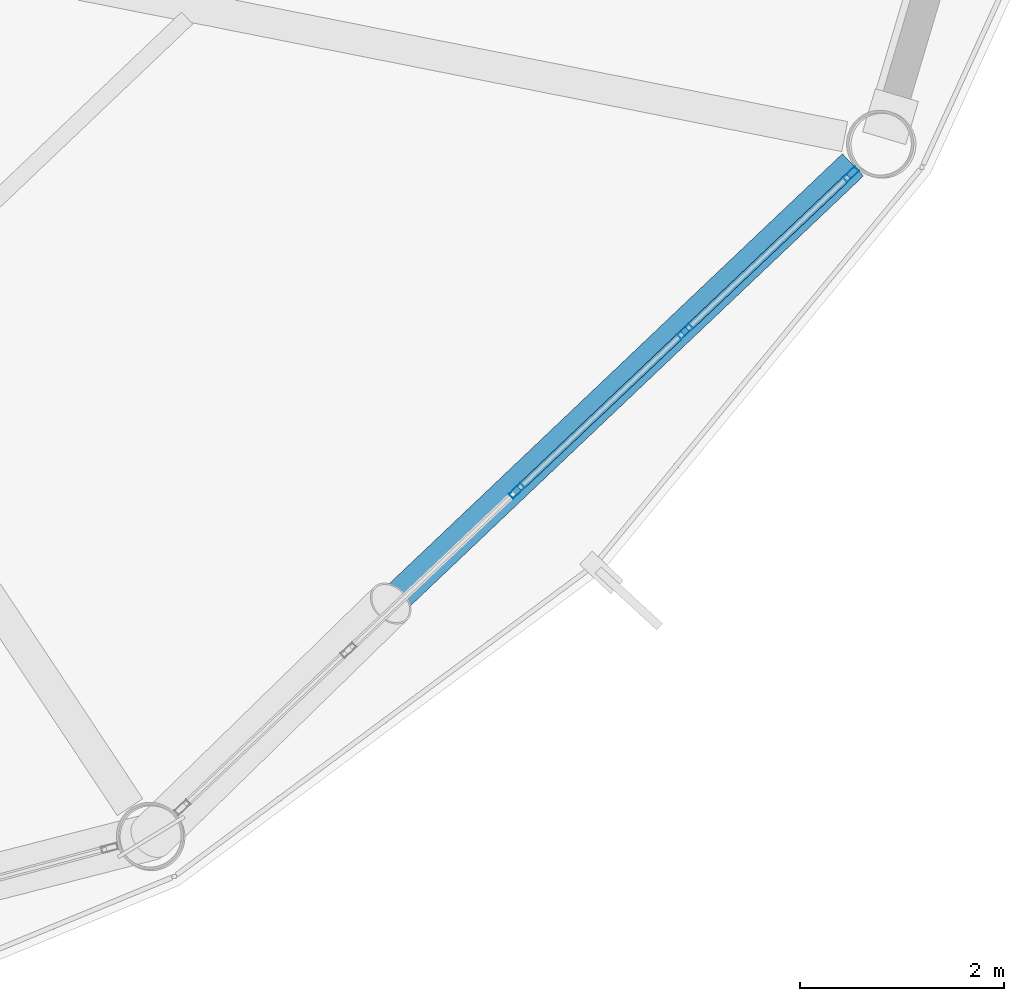
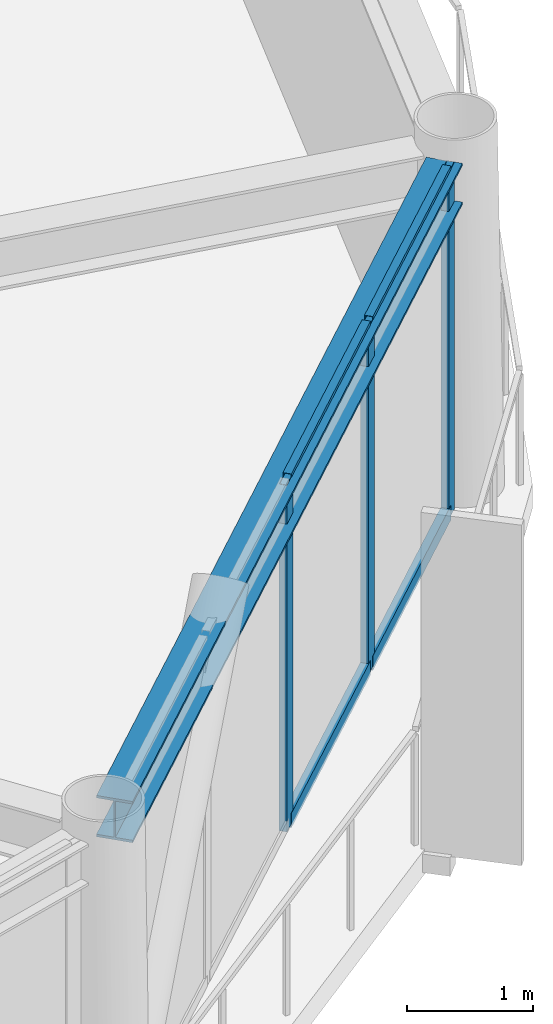
# One storey, part 16 of 29: 7 members, 1 beam, 1 element without a shape of its own.
"""IFC4 building model written with IfcOpenShell, lengths in metres."""

from ifc_helpers import new_model, si_unit, direction, frame, origin, origin_2d, place, context, subcontext, project, spatial, hollow_rectangle, i_section, extrude, material, layer, layer_set, material_profile, profile_set, type_object, element, aggregate, save


model = new_model("IFC4")

# Units and contexts
model_context = context("Model", 3, precision=1e-05, world=origin(), true_north=direction((0.0, 1.0)))
body_context = subcontext(model_context, "Body", "Model", "MODEL_VIEW")
ifc_project = project(units=[si_unit("LENGTHUNIT", "METRE"), si_unit("AREAUNIT", "SQUARE_METRE"), si_unit("VOLUMEUNIT", "CUBIC_METRE"), si_unit("PLANEANGLEUNIT", "RADIAN"), si_unit("MASSUNIT", "GRAM", prefix="KILO")], contexts=[model_context])

# Site, building, storey
site_placement = place(None, origin())
site = spatial("IfcSite", under=ifc_project, at=site_placement, CompositionType="ELEMENT")
building_placement = place(site_placement, origin())
building = spatial("IfcBuilding", under=site, at=building_placement, Name="Varnakorn Sky Granary", CompositionType="ELEMENT")
storey_placement = place(building_placement, frame((0.0, 0.0, 182.39990234375)))
storey = spatial("IfcBuildingStorey", under=building, at=storey_placement, Name="L45", CompositionType="ELEMENT", Elevation=182.39990234375)

# Beam
ifc_material_1 = material(Name="Steel S355JR", Category="steel")
ifc_material_profile_1 = material_profile(ifc_material_1, i_section(OverallWidth=0.300048828125, OverallDepth=0.39990234375, WebThickness=0.013427734375, FlangeThickness=0.02392578125, at=origin_2d()), Name="HE 400 B")
ifc_profile_set_1 = profile_set([ifc_material_profile_1], Name="Steel S355JR")
beam_type = type_object("IfcBeamType", Name="BM-SPD-Z4", PredefinedType="SPANDREL", material=ifc_profile_set_1)
beam_placement = place(storey_placement, frame((14.83447265625, -15.81591796875, 3.16015625), z_axis=(0.725435205261, 0.688290464098, 0.0), x_axis=(-0.688290464098, 0.725435205261, 0.0)))
element("IfcBeam", 1, at=beam_placement, inside=storey, type_object=beam_type, Name="Perimeter Spandrel Ring Beam RB11 L45", PredefinedType="SPANDREL", context=body_context, shape_type="SweptSolid", body=[
    extrude(i_section(OverallWidth=0.300048828125, OverallDepth=0.39990234375, WebThickness=0.013427734375, FlangeThickness=0.02392578125, at=origin_2d()), origin(), (0.0, 0.0, 1.0), 9.21484375),
])

# Curtain wall, members
ifc_material_2 = material(Name="Anodised Bronze Aluminium Alloy 6063-T6", Category="aluminium")
ifc_layer = layer(ifc_material_2, 0.169921875, Name="Anodised Bronze Aluminium Alloy 6063-T6")
ifc_layer_set = layer_set([ifc_layer], Name="Anodised Bronze Aluminium Alloy 6063-T6")
curtain_wall_type = type_object("IfcCurtainWallType", Name="CW-LAB-1", PredefinedType="USERDEFINED", material=ifc_layer_set)
curtain_wall_placement = place(storey_placement, origin())
curtain_wall = element("IfcCurtainWall", 2, at=curtain_wall_placement, inside=storey, type_object=curtain_wall_type, Name="Unitised Curtain Wall CW5 CW-L45-B11", ObjectType="CURTAIN WALL", PredefinedType="USERDEFINED")
ifc_material_profile_2 = material_profile(ifc_material_2, hollow_rectangle(XDim=0.06494140625, YDim=0.159912109375, WallThickness=0.00341796875, at=origin_2d()), Name="ALU MULL 65x160")
ifc_profile_set_2 = profile_set([ifc_material_profile_2], Name="Anodised Bronze Aluminium Alloy 6063-T6")
member_type_1 = type_object("IfcMemberType", Name="CW-LAB-1-MULL", PredefinedType="MULLION", material=ifc_profile_set_2)
member_1_placement = place(storey_placement, frame((21.5, -9.56396484375, 0.0), z_axis=(0.0, 0.0, 1.0), x_axis=(0.687692477005, -0.726002105418, 0.0)))
member_1 = element("IfcMember", 3, at=member_1_placement, type_object=member_type_1, Name="CW5 mullion 1", PredefinedType="MULLION", context=body_context, shape_type="SweptSolid", body=[
    extrude(hollow_rectangle(XDim=0.06494140625, YDim=0.159912109375, WallThickness=0.00341796875, at=origin_2d()), origin(), (0.0, 0.0, 1.0), 3.360107421875),
])
member_2_placement = place(storey_placement, frame((19.87353515625, -11.104736328125, 0.0), z_axis=(0.0, 0.0, 1.0), x_axis=(0.687692477005, -0.726002105418, 0.0)))
member_2 = element("IfcMember", 4, at=member_2_placement, type_object=member_type_1, Name="CW5 mullion 2", PredefinedType="MULLION", context=body_context, shape_type="SweptSolid", body=[
    extrude(hollow_rectangle(XDim=0.06494140625, YDim=0.159912109375, WallThickness=0.00341796875, at=origin_2d()), origin(), (0.0, 0.0, 1.0), 3.360107421875),
])
member_3_placement = place(storey_placement, frame((18.223388671875, -12.66796875, 0.0), z_axis=(0.0, 0.0, 1.0), x_axis=(0.687692477005, -0.726002105418, 0.0)))
member_3 = element("IfcMember", 5, at=member_3_placement, type_object=member_type_1, Name="CW5 mullion 3", PredefinedType="MULLION", context=body_context, shape_type="SweptSolid", body=[
    extrude(hollow_rectangle(XDim=0.06494140625, YDim=0.159912109375, WallThickness=0.00341796875, at=origin_2d()), origin(), (0.0, 0.0, 1.0), 3.360107421875),
])
ifc_material_profile_3 = material_profile(ifc_material_2, hollow_rectangle(XDim=0.070068359375, YDim=0.139892578125, WallThickness=0.00341796875, at=origin_2d()), Name="ALU TRAN 70x140")
ifc_profile_set_3 = profile_set([ifc_material_profile_3], Name="Anodised Bronze Aluminium Alloy 6063-T6")
member_type_2 = type_object("IfcMemberType", Name="CW-LAB-1-TRAN", PredefinedType="USERDEFINED", material=ifc_profile_set_3)
member_4_placement = place(storey_placement, frame((21.4765625, -9.58642578125, 0.03515625), z_axis=(-0.725982172965, -0.687713519234, 0.0), x_axis=(0.687713519234, -0.725982172965, 0.0)))
member_4 = element("IfcMember", 6, at=member_4_placement, type_object=member_type_2, Name="CW5 transom 1.1", ObjectType="TRANSOM", PredefinedType="USERDEFINED", context=body_context, shape_type="SweptSolid", body=[
    extrude(hollow_rectangle(XDim=0.070068359375, YDim=0.139892578125, WallThickness=0.00341796875, at=origin_2d()), origin(), (0.0, 0.0, 1.0), 2.175537109375),
])
member_5_placement = place(storey_placement, frame((21.4765625, -9.58642578125, 3.3251953125), z_axis=(-0.725982172965, -0.687713519234, 0.0), x_axis=(0.687713519234, -0.725982172965, 0.0)))
member_5 = element("IfcMember", 7, at=member_5_placement, type_object=member_type_2, Name="CW5 transom 1.2", ObjectType="TRANSOM", PredefinedType="USERDEFINED", context=body_context, shape_type="SweptSolid", body=[
    extrude(hollow_rectangle(XDim=0.070068359375, YDim=0.139892578125, WallThickness=0.00341796875, at=origin_2d()), origin(), (0.0, 0.0, 1.0), 2.175537109375),
])
member_6_placement = place(storey_placement, frame((19.849853515625, -11.127197265625, 0.03515625), z_axis=(-0.725978835909, -0.687717041968, 0.0), x_axis=(0.687717041968, -0.725978835909, 0.0)))
member_6 = element("IfcMember", 8, at=member_6_placement, type_object=member_type_2, Name="CW5 transom 2.1", ObjectType="TRANSOM", PredefinedType="USERDEFINED", context=body_context, shape_type="SweptSolid", body=[
    extrude(hollow_rectangle(XDim=0.070068359375, YDim=0.139892578125, WallThickness=0.00341796875, at=origin_2d()), origin(), (0.0, 0.0, 1.0), 2.207763671875),
])
member_7_placement = place(storey_placement, frame((19.849853515625, -11.127197265625, 3.3251953125), z_axis=(-0.725978835909, -0.687717041968, 0.0), x_axis=(0.687717041968, -0.725978835909, 0.0)))
member_7 = element("IfcMember", 9, at=member_7_placement, type_object=member_type_2, Name="CW5 transom 2.2", ObjectType="TRANSOM", PredefinedType="USERDEFINED", context=body_context, shape_type="SweptSolid", body=[
    extrude(hollow_rectangle(XDim=0.070068359375, YDim=0.139892578125, WallThickness=0.00341796875, at=origin_2d()), origin(), (0.0, 0.0, 1.0), 2.207763671875),
])
aggregate(curtain_wall, [member_1, member_2, member_3, member_4, member_5, member_6, member_7])

save(model, "model.ifc")
